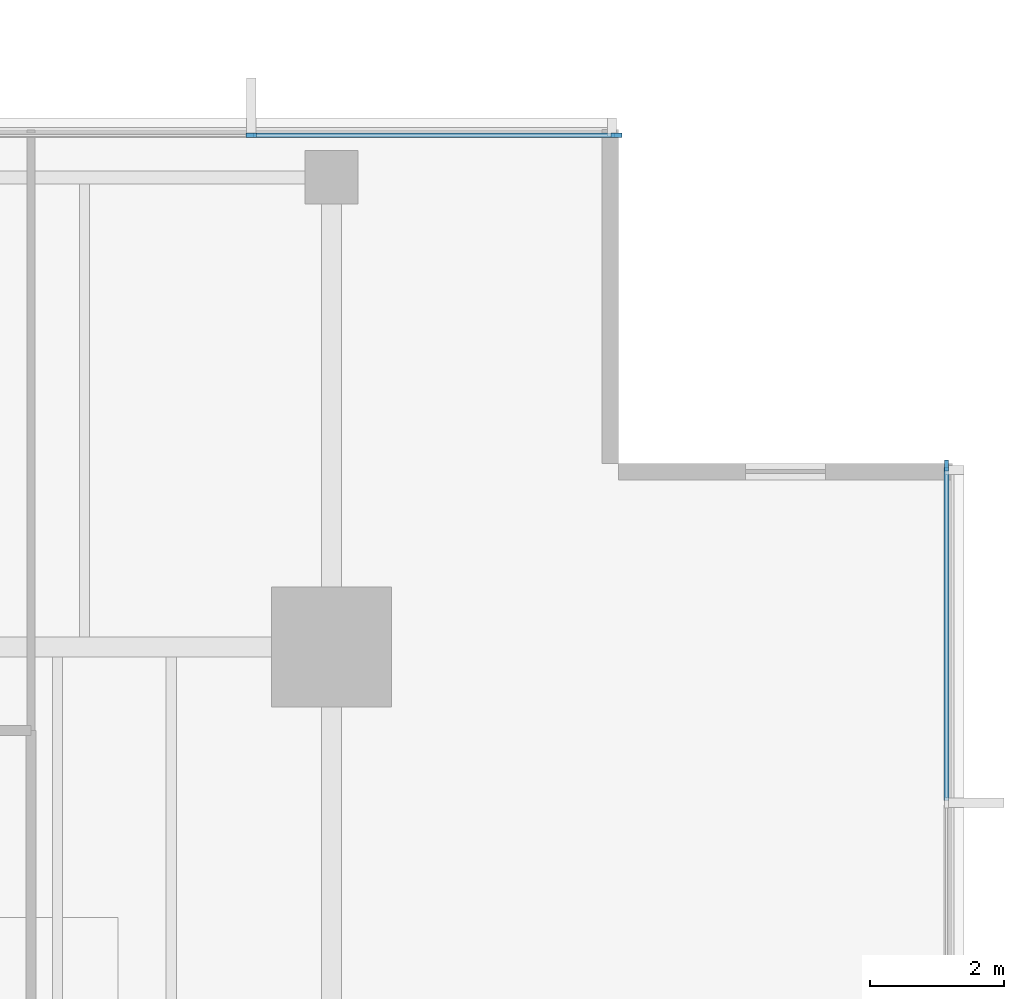
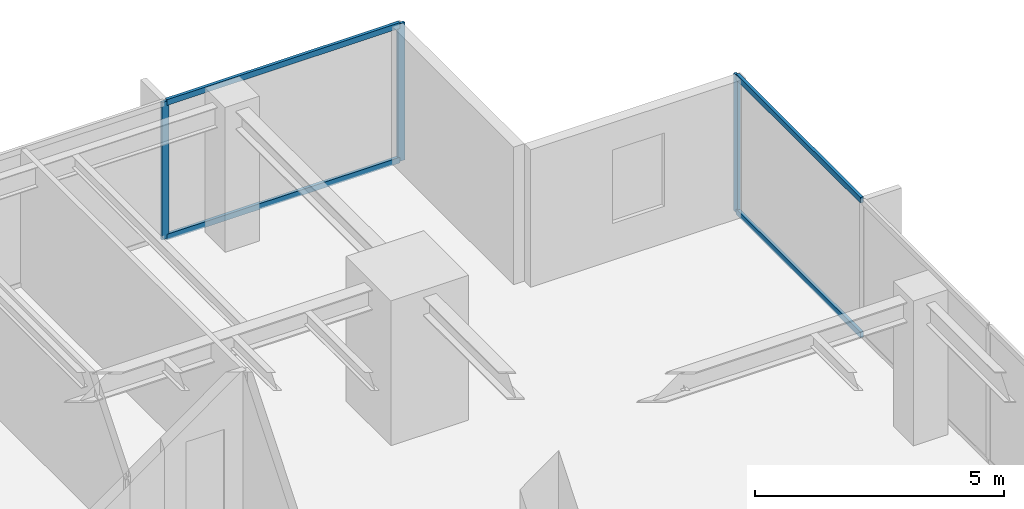
# One storey, part 6 of 14: 7 members, 2 elements without a shape of their own.
"""IFC4 building model written with IfcOpenShell, lengths in metres."""

from ifc_helpers import new_model, si_unit, direction, frame, origin, origin_2d, place, context, subcontext, project, spatial, rectangle, extrude, material, layer, layer_set, material_profile, profile_set, type_object, element, aggregate, save


model = new_model("IFC4")

# Units and contexts
model_context = context("Model", 3, precision=1e-05, world=origin(), true_north=direction((0.0, 1.0)))
body_context = subcontext(model_context, "Body", "Model", "MODEL_VIEW")
ifc_project = project(units=[si_unit("LENGTHUNIT", "METRE"), si_unit("AREAUNIT", "SQUARE_METRE"), si_unit("VOLUMEUNIT", "CUBIC_METRE"), si_unit("PLANEANGLEUNIT", "RADIAN"), si_unit("MASSUNIT", "GRAM", prefix="KILO")], contexts=[model_context])

# Site, building, storey
site_placement = place(None, origin())
site = spatial("IfcSite", under=ifc_project, at=site_placement, CompositionType="ELEMENT")
building_placement = place(site_placement, origin())
building = spatial("IfcBuilding", under=site, at=building_placement, Name="Kinhvarn Gate Tower", CompositionType="ELEMENT")
storey_placement = place(building_placement, frame((0.0, 0.0, 212.89990234375)))
storey = spatial("IfcBuildingStorey", under=building, at=storey_placement, Name="L56", CompositionType="ELEMENT", Elevation=212.89990234375)

# Curtain wall, members
ifc_material = material(Name="Anodised aluminium AW-6063", Category="aluminium")
ifc_layer = layer(ifc_material, 0.179931640625)
ifc_layer_set = layer_set([ifc_layer], Name="Anodised aluminium AW-6063")
curtain_wall_type = type_object("IfcCurtainWallType", Name="CW-SYS-3", PredefinedType="NOTDEFINED", material=ifc_layer_set)
curtain_wall_1_placement = place(storey_placement, origin())
curtain_wall_1 = element("IfcCurtainWall", 1, at=curtain_wall_1_placement, inside=storey, type_object=curtain_wall_type, Name="Curtain Wall CW3 (L56)", PredefinedType="NOTDEFINED")
ifc_material_profile_1 = material_profile(ifc_material, rectangle(XDim=0.06494140625, YDim=0.159912109375, at=origin_2d()), Name="ALU 65x160")
ifc_profile_set_1 = profile_set([ifc_material_profile_1], Name="Anodised aluminium AW-6063")
member_type_1 = type_object("IfcMemberType", Name="CW-MUL-160", PredefinedType="MULLION", material=ifc_profile_set_1)
member_1_placement = place(storey_placement, frame((42.467529296875, 45.409912109375, 0.0), z_axis=(0.0, 0.0, 1.0), x_axis=(0.0, -1.0, 0.0)))
member_1 = element("IfcMember", 2, at=member_1_placement, type_object=member_type_1, Name="CW3 mullion 1", PredefinedType="MULLION", context=body_context, shape_type="SweptSolid", body=[
    extrude(rectangle(XDim=0.06494140625, YDim=0.159912109375, at=origin_2d()), origin(), (0.0, 0.0, 1.0), 3.3701171875),
])
member_2_placement = place(storey_placement, frame((37.0, 45.409912109375, 0.0), z_axis=(0.0, 0.0, 1.0), x_axis=(0.0, -1.0, 0.0)))
member_2 = element("IfcMember", 3, at=member_2_placement, type_object=member_type_1, Name="CW3 mullion 2", PredefinedType="MULLION", context=body_context, shape_type="SweptSolid", body=[
    extrude(rectangle(XDim=0.06494140625, YDim=0.159912109375, at=origin_2d()), origin(), (0.0, 0.0, 1.0), 3.3701171875),
])

# Curtain wall, member
curtain_wall_2_placement = place(storey_placement, origin())
curtain_wall_2 = element("IfcCurtainWall", 4, at=curtain_wall_2_placement, inside=storey, type_object=curtain_wall_type, Name="Curtain Wall CW3 (L56)", PredefinedType="NOTDEFINED")
member_3_placement = place(storey_placement, frame((47.409912109375, 40.467529296875, 0.0), z_axis=(0.0, 0.0, 1.0), x_axis=(-1.0, 0.0, 0.0)))
member_3 = element("IfcMember", 5, at=member_3_placement, type_object=member_type_1, Name="CW3 mullion 7", PredefinedType="MULLION", context=body_context, shape_type="SweptSolid", body=[
    extrude(rectangle(XDim=0.06494140625, YDim=0.159912109375, at=origin_2d()), origin(), (0.0, 0.0, 1.0), 3.3701171875),
])

# Member
ifc_material_profile_2 = material_profile(ifc_material, rectangle(XDim=0.070068359375, YDim=0.139892578125, at=origin_2d()), Name="ALU 70x140")
ifc_profile_set_2 = profile_set([ifc_material_profile_2], Name="Anodised aluminium AW-6063")
member_type_2 = type_object("IfcMemberType", Name="CW-TRN-140", PredefinedType="USERDEFINED", material=ifc_profile_set_2)
member_4_placement = place(storey_placement, frame((42.43505859375, 45.409912109375, 0.03515625), z_axis=(-1.0, 0.0, 0.0), x_axis=(0.0, -1.0, 0.0)))
member_4 = element("IfcMember", 6, at=member_4_placement, type_object=member_type_2, Name="CW3 transom 1.1", ObjectType="TRANSOM", PredefinedType="USERDEFINED", context=body_context, shape_type="SweptSolid", body=[
    extrude(rectangle(XDim=0.070068359375, YDim=0.139892578125, at=origin_2d()), origin(), (0.0, 0.0, 1.0), 5.402587890625),
])

member_5_placement = place(storey_placement, frame((42.43505859375, 45.409912109375, 3.335205078125), z_axis=(-1.0, 0.0, 0.0), x_axis=(0.0, -1.0, 0.0)))
member_5 = element("IfcMember", 7, at=member_5_placement, type_object=member_type_2, Name="CW3 transom 1.2", ObjectType="TRANSOM", PredefinedType="USERDEFINED", context=body_context, shape_type="SweptSolid", body=[
    extrude(rectangle(XDim=0.070068359375, YDim=0.139892578125, at=origin_2d()), origin(), (0.0, 0.0, 1.0), 5.402587890625),
])

aggregate(curtain_wall_1, [member_1, member_2, member_4, member_5])

member_6_placement = place(storey_placement, frame((47.409912109375, 35.44921875, 0.03515625), z_axis=(0.0, 1.0, 0.0), x_axis=(-1.0, 0.0, 0.0)))
member_6 = element("IfcMember", 8, at=member_6_placement, type_object=member_type_2, Name="CW3 transom 6.1", ObjectType="TRANSOM", PredefinedType="USERDEFINED", context=body_context, shape_type="SweptSolid", body=[
    extrude(rectangle(XDim=0.070068359375, YDim=0.139892578125, at=origin_2d()), origin(), (0.0, 0.0, 1.0), 4.98583984375),
])

member_7_placement = place(storey_placement, frame((47.409912109375, 35.44921875, 3.335205078125), z_axis=(0.0, 1.0, 0.0), x_axis=(-1.0, 0.0, 0.0)))
member_7 = element("IfcMember", 9, at=member_7_placement, type_object=member_type_2, Name="CW3 transom 6.2", ObjectType="TRANSOM", PredefinedType="USERDEFINED", context=body_context, shape_type="SweptSolid", body=[
    extrude(rectangle(XDim=0.070068359375, YDim=0.139892578125, at=origin_2d()), origin(), (0.0, 0.0, 1.0), 4.98583984375),
])

aggregate(curtain_wall_2, [member_3, member_6, member_7])

save(model, "model.ifc")
